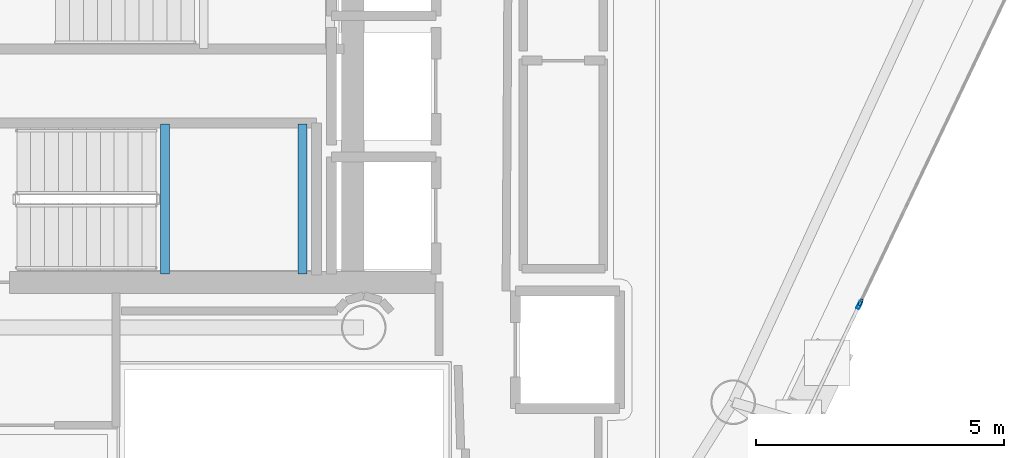
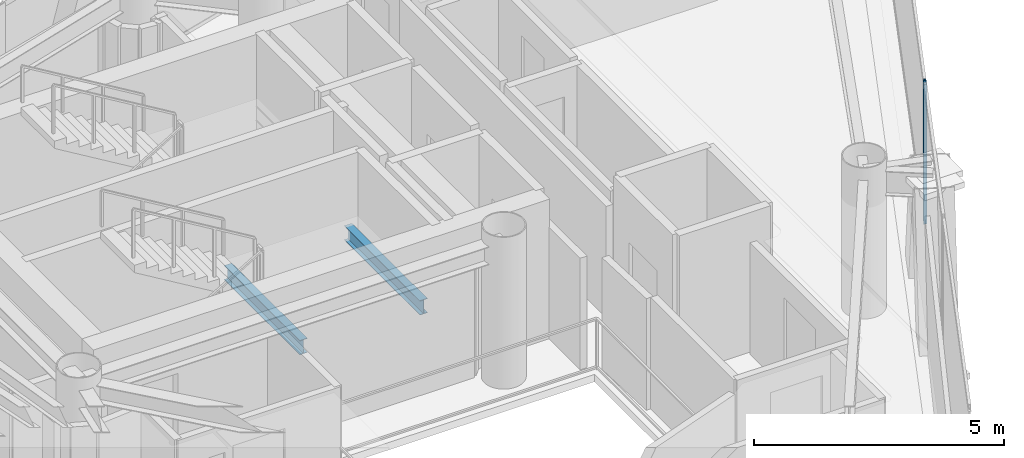
# One storey, part 11 of 20: 2 beams, 2 members, 2 elements without a shape of their own.
"""IFC4 building model written with IfcOpenShell, lengths in metres."""

from ifc_helpers import new_model, si_unit, direction, frame, origin, origin_2d, place, context, subcontext, project, spatial, hollow_rectangle, i_section, extrude, material, layer, layer_set, material_profile, profile_set, type_object, element, aggregate, save


model = new_model("IFC4")

# Units and contexts
model_context = context("Model", 3, precision=1e-05, world=origin(), true_north=direction((0.0, 1.0)))
body_context = subcontext(model_context, "Body", "Model", "MODEL_VIEW")
ifc_project = project(units=[si_unit("LENGTHUNIT", "METRE"), si_unit("AREAUNIT", "SQUARE_METRE"), si_unit("VOLUMEUNIT", "CUBIC_METRE"), si_unit("PLANEANGLEUNIT", "RADIAN"), si_unit("MASSUNIT", "GRAM", prefix="KILO")], contexts=[model_context])

# Site, building, storey
site_placement = place(None, origin())
site = spatial("IfcSite", under=ifc_project, at=site_placement, CompositionType="ELEMENT")
building_placement = place(site_placement, origin())
building = spatial("IfcBuilding", under=site, at=building_placement, Name="Qianvela Tower", CompositionType="ELEMENT")
storey_placement = place(building_placement, frame((0.0, 0.0, 317.60009765625)))
storey = spatial("IfcBuildingStorey", under=building, at=storey_placement, Name="L82", CompositionType="ELEMENT", Elevation=317.60009765625)

# Beams
ifc_material_1 = material(Name="Steel Q355B", Category="steel")
ifc_material_profile_1 = material_profile(ifc_material_1, i_section(OverallWidth=0.175048828125, OverallDepth=0.35009765625, WebThickness=0.007080078125, FlangeThickness=0.010986328125, at=origin_2d()), Name="HN350x175x7x11")
ifc_profile_set_1 = profile_set([ifc_material_profile_1], Name="Steel Q355B")
beam_type = type_object("IfcBeamType", Name="BM-HN350-JOIST", PredefinedType="JOIST", material=ifc_profile_set_1)
for number, where, z_axis, x_axis, name in (
    (1, (34.39990234375, 24.919921875, 1.474853515625), (0.0, 1.0, 0.0), (-1.0, 0.0, 0.0), "L82 Stair ST-2 Landing Support Beam 1.1"),
    (2, (37.169921875, 24.919921875, 1.474853515625), (0.0, 1.0, 0.0), (-1.0, 0.0, 0.0), "L82 Stair ST-2 Landing Support Beam 1.2"),
):
    element("IfcBeam", number, at=place(storey_placement, frame(where, z_axis=z_axis, x_axis=x_axis)), inside=storey, type_object=beam_type, Name=name, PredefinedType="JOIST", context=body_context, shape_type="SweptSolid", body=[
        extrude(i_section(OverallWidth=0.175048828125, OverallDepth=0.35009765625, WebThickness=0.007080078125, FlangeThickness=0.010986328125, at=origin_2d()), origin(), (0.0, 0.0, 1.0), 3.02001953125),
    ])

# Curtain wall, member
ifc_material_2 = material(Name="Anodised Architectural Aluminium and Insulated Spandrel Panel", Category="aluminium")
ifc_layer_1 = layer(ifc_material_2, 0.179931640625)
ifc_layer_set_1 = layer_set([ifc_layer_1], Name="Anodised Architectural Aluminium and Insulated Spandrel Panel")
curtain_wall_type_1 = type_object("IfcCurtainWallType", Name="CW-BRACEBAY", PredefinedType="USERDEFINED", material=ifc_layer_set_1)
curtain_wall_1_placement = place(storey_placement, origin())
curtain_wall_1 = element("IfcCurtainWall", 3, at=curtain_wall_1_placement, inside=storey, type_object=curtain_wall_type_1, Name="L82 CW-BRACEBAY Curtain Wall 06B", ObjectType="CURTAIN_WALL_SYSTEM", PredefinedType="USERDEFINED")
ifc_material_3 = material(Name="Anodised Architectural Aluminium 6063-T6", Category="aluminium")
ifc_material_profile_2 = material_profile(ifc_material_3, hollow_rectangle(XDim=0.06494140625, YDim=0.159912109375, WallThickness=0.0048828125, at=origin_2d()), Name="ALU-MULL-65x160")
ifc_profile_set_2 = profile_set([ifc_material_profile_2], Name="Anodised Architectural Aluminium 6063-T6")
member_type_1 = type_object("IfcMemberType", Name="CW-BRACEBAY-MULL", PredefinedType="MULLION", material=ifc_profile_set_2)
member_1_placement = place(storey_placement, frame((48.370361328125, 24.297119140625, 0.0), z_axis=(0.0, 0.0, 1.0), x_axis=(-0.902686519662, 0.43029878831, 0.0)))
member_1 = element("IfcMember", 4, at=member_1_placement, type_object=member_type_1, Name="CW-9 mullion 2", PredefinedType="MULLION", context=body_context, shape_type="SweptSolid", body=[
    extrude(hollow_rectangle(XDim=0.06494140625, YDim=0.159912109375, WallThickness=0.0048828125, at=origin_2d()), origin(), (0.0, 0.0, 1.0), 3.39990234375),
])
aggregate(curtain_wall_1, [member_1])

ifc_material_4 = material(Name="Anodised Architectural Aluminium and Low-E Glass", Category="aluminium")
ifc_layer_2 = layer(ifc_material_4, 0.14990234375)
ifc_layer_set_2 = layer_set([ifc_layer_2], Name="Anodised Architectural Aluminium and Low-E Glass")
curtain_wall_type_2 = type_object("IfcCurtainWallType", Name="CW-COLIV-Z78", PredefinedType="USERDEFINED", material=ifc_layer_set_2)
curtain_wall_2_placement = place(storey_placement, origin())
curtain_wall_2 = element("IfcCurtainWall", 5, at=curtain_wall_2_placement, inside=storey, type_object=curtain_wall_type_2, Name="L82 CW-COLIV-Z78 Curtain Wall 06C", ObjectType="CURTAIN_WALL_SYSTEM", PredefinedType="USERDEFINED")
ifc_material_5 = material(Name="Anodised Architectural Aluminium 6063-T6", Category="aluminium")
ifc_material_profile_3 = material_profile(ifc_material_5, hollow_rectangle(XDim=0.06005859375, YDim=0.139892578125, WallThickness=0.00439453125, at=origin_2d()), Name="ALU-MULL-60x140")
ifc_profile_set_3 = profile_set([ifc_material_profile_3], Name="Anodised Architectural Aluminium 6063-T6")
member_type_2 = type_object("IfcMemberType", Name="CW-COLIV-Z78-MULL", PredefinedType="MULLION", material=ifc_profile_set_3)
member_2_placement = place(storey_placement, frame((48.397216796875, 24.353515625, 0.0), z_axis=(0.0, 0.0, 1.0), x_axis=(-0.902682118806, 0.430308020363, 0.0)))
member_2 = element("IfcMember", 6, at=member_2_placement, type_object=member_type_2, Name="CW-6 mullion 1", PredefinedType="MULLION", context=body_context, shape_type="SweptSolid", body=[
    extrude(hollow_rectangle(XDim=0.06005859375, YDim=0.139892578125, WallThickness=0.00439453125, at=origin_2d()), origin(), (0.0, 0.0, 1.0), 3.39990234375),
])
aggregate(curtain_wall_2, [member_2])

save(model, "model.ifc")
